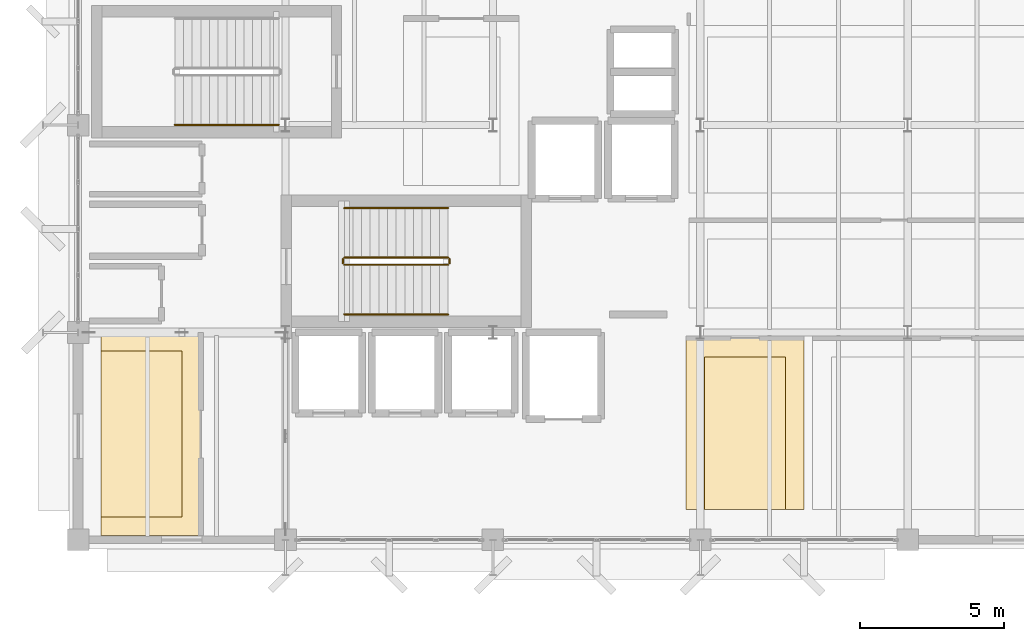
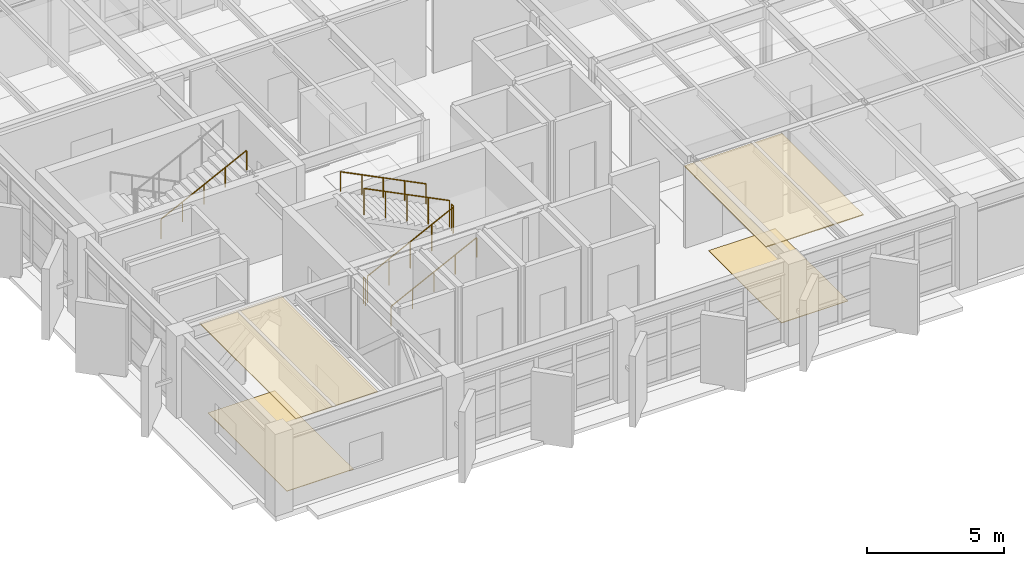
# One storey, part 29 of 32: 7 railings, 4 coverings.
"""IFC4 building model written with IfcOpenShell, lengths in metres."""

from ifc_helpers import new_model, si_unit, direction, frame, origin, origin_2d, place, context, subcontext, project, spatial, polyline, circle, outline, extrude, material, layer, layer_set, type_object, element, save


model = new_model("IFC4")

# Units and contexts
model_context = context("Model", 3, precision=1e-05, world=origin(), true_north=direction((0.0, 1.0)))
body_context = subcontext(model_context, "Body", "Model", "MODEL_VIEW")
ifc_project = project(units=[si_unit("LENGTHUNIT", "METRE"), si_unit("AREAUNIT", "SQUARE_METRE"), si_unit("VOLUMEUNIT", "CUBIC_METRE"), si_unit("PLANEANGLEUNIT", "RADIAN"), si_unit("MASSUNIT", "GRAM", prefix="KILO")], contexts=[model_context])

# Site, building, storey
site_placement = place(None, origin())
site = spatial("IfcSite", under=ifc_project, at=site_placement, CompositionType="ELEMENT")
building_placement = place(site_placement, origin())
building = spatial("IfcBuilding", under=site, at=building_placement, Name="Kandorven Conservatory and Botanical Research Centre", CompositionType="ELEMENT")
storey_placement = place(building_placement, frame((0.0, 0.0, 17.10009765625)))
storey = spatial("IfcBuildingStorey", under=building, at=storey_placement, Name="L04", CompositionType="ELEMENT", Elevation=17.10009765625)

# Coverings
ifc_material_1 = material(Name="Perforated mineral-fibre acoustic ceiling tile", Category="gypsum")
ifc_layer_1 = layer(ifc_material_1, 0.0400390625)
ifc_layer_set_1 = layer_set([ifc_layer_1], Name="Perforated mineral-fibre acoustic ceiling tile")
covering_type_1 = type_object("IfcCoveringType", Name="Cov_Ceiling_1", PredefinedType="CEILING", material=ifc_layer_set_1)
covering_1_placement = place(storey_placement, frame((0.0, 0.0, 3.599853515625)))
element("IfcCovering", 1, at=covering_1_placement, inside=storey, type_object=covering_type_1, Name="Suspended acoustic ceiling CLG-01 (Botanical Chemotaxonomy Research Laboratory L04)", PredefinedType="CEILING", context=body_context, shape_type="SweptSolid", body=[
    extrude(outline(polyline([(6.800048828125, 6.14990234375), (10.25, 6.14990234375), (10.25, 13.199951171875), (6.800048828125, 13.199951171875), (6.800048828125, 6.14990234375)])), origin(), (0.0, 0.0, 1.0), 0.0400390625),
])
covering_2_placement = place(storey_placement, frame((0.0, 0.0, 3.599853515625)))
element("IfcCovering", 2, at=covering_2_placement, inside=storey, type_object=covering_type_1, Name="Suspended acoustic ceiling CLG-01 (Phytochemistry Research Laboratory L04)", PredefinedType="CEILING", context=body_context, shape_type="SweptSolid", body=[
    extrude(outline(polyline([(27.10009765625, 7.050048828125), (31.199951171875, 7.050048828125), (31.199951171875, 13.0), (27.10009765625, 13.0), (27.10009765625, 7.050048828125)])), origin(), (0.0, 0.0, 1.0), 0.0400390625),
])
ifc_material_2 = material(Name="Honed Kota stone and epoxy laboratory flooring", Category="masonry")
ifc_layer_2 = layer(ifc_material_2, 0.02490234375)
ifc_layer_set_2 = layer_set([ifc_layer_2], Name="Honed Kota stone and epoxy laboratory flooring")
covering_type_2 = type_object("IfcCoveringType", Name="Cov_Flooring_1", PredefinedType="FLOORING", material=ifc_layer_set_2)
covering_3_placement = place(storey_placement, origin())
element("IfcCovering", 3, at=covering_3_placement, inside=storey, type_object=covering_type_2, Name="Floor finish FLR-01 (Botanical Chemotaxonomy Research Laboratory L04)", PredefinedType="FLOORING", context=body_context, shape_type="SweptSolid", body=[
    extrude(outline(polyline([(6.800048828125, 6.800048828125), (9.60009765625, 6.800048828125), (9.60009765625, 12.550048828125), (6.800048828125, 12.550048828125), (6.800048828125, 6.800048828125)])), origin(), (0.0, 0.0, 1.0), 0.02490234375),
])
covering_4_placement = place(storey_placement, origin())
element("IfcCovering", 4, at=covering_4_placement, inside=storey, type_object=covering_type_2, Name="Floor finish FLR-01 (Phytochemistry Research Laboratory L04)", PredefinedType="FLOORING", context=body_context, shape_type="SweptSolid", body=[
    extrude(outline(polyline([(27.75, 7.050048828125), (30.550048828125, 7.050048828125), (30.550048828125, 12.35009765625), (27.75, 12.35009765625), (27.75, 7.050048828125)])), origin(), (0.0, 0.0, 1.0), 0.02490234375),
])

# Railings
ifc_material_3 = material(Name="Steel S355 (IS 2062 E350)", Category="steel")
railing_type_1 = type_object("IfcRailingType", Name="StairGuard_1150", PredefinedType="BALUSTRADE", material=ifc_material_3)
railing_1_placement = place(storey_placement, frame((15.239990234375, 15.550048828125, 0.14990234375)))
element("IfcRailing", 5, at=railing_1_placement, inside=storey, type_object=railing_type_1, Name="L04 ST-T1 stair guard 1", PredefinedType="BALUSTRADE", context=body_context, shape_type="SweptSolid", body=[
    extrude(circle(Radius=0.02392578125, at=origin_2d()), frame((0.0, 0.0, 1.17578125), z_axis=(0.894427191, 0.0, 0.4472135955), x_axis=(0.0, 1.0, 0.0)), (0.0, 0.0, 1.0), 4.025146484375),
    extrude(circle(Radius=0.02099609375, at=origin_2d()), origin(), (0.0, 0.0, 1.0), 1.15185546875),
    extrude(circle(Radius=0.02099609375, at=origin_2d()), frame((0.89990234375, 0.0, 0.449951171875)), (0.0, 0.0, 1.0), 1.15185546875),
    extrude(circle(Radius=0.02099609375, at=origin_2d()), frame((1.800048828125, 0.0, 0.89990234375)), (0.0, 0.0, 1.0), 1.15185546875),
    extrude(circle(Radius=0.02099609375, at=origin_2d()), frame((2.7001953125, 0.0, 1.35009765625)), (0.0, 0.0, 1.0), 1.15185546875),
    extrude(circle(Radius=0.02099609375, at=origin_2d()), frame((3.60009765625, 0.0, 1.800048828125)), (0.0, 0.0, 1.0), 1.15185546875),
])
railing_2_placement = place(storey_placement, frame((18.889892578125, 15.60009765625, 1.949951171875)))
element("IfcRailing", 6, at=railing_2_placement, inside=storey, type_object=railing_type_1, Name="L04 ST-T1 stair guard 2", PredefinedType="BALUSTRADE", context=body_context, shape_type="SweptSolid", body=[
    extrude(circle(Radius=0.02392578125, at=origin_2d()), frame((0.0, 0.0, 1.17578125), z_axis=(0.0, 1.0, 0.0), x_axis=(-1.0, 0.0, 0.0)), (0.0, 0.0, 1.0), 0.14990234375),
    extrude(circle(Radius=0.02099609375, at=origin_2d()), origin(), (0.0, 0.0, 1.0), 1.15185546875),
    extrude(circle(Radius=0.02099609375, at=origin_2d()), frame((0.0, 0.14990234375, 0.0)), (0.0, 0.0, 1.0), 1.15185546875),
])
railing_3_placement = place(storey_placement, frame((18.840087890625, 15.800048828125, 2.099853515625)))
element("IfcRailing", 7, at=railing_3_placement, inside=storey, type_object=railing_type_1, Name="L04 ST-T1 stair guard 3", PredefinedType="BALUSTRADE", context=body_context, shape_type="SweptSolid", body=[
    extrude(circle(Radius=0.02392578125, at=origin_2d()), frame((0.0, 0.0, 1.17578125), z_axis=(-0.894427191, 0.0, 0.4472135955), x_axis=(0.0, -1.0, 0.0)), (0.0, 0.0, 1.0), 4.025146484375),
    extrude(circle(Radius=0.02099609375, at=origin_2d()), origin(), (0.0, 0.0, 1.0), 1.15185546875),
    extrude(circle(Radius=0.02099609375, at=origin_2d()), frame((-0.89990234375, 0.0, 0.449951171875)), (0.0, 0.0, 1.0), 1.15185546875),
    extrude(circle(Radius=0.02099609375, at=origin_2d()), frame((-1.800048828125, 0.0, 0.89990234375)), (0.0, 0.0, 1.0), 1.15185546875),
    extrude(circle(Radius=0.02099609375, at=origin_2d()), frame((-2.7001953125, 0.0, 1.35009765625)), (0.0, 0.0, 1.0), 1.15185546875),
    extrude(circle(Radius=0.02099609375, at=origin_2d()), frame((-3.60009765625, 0.0, 1.800048828125)), (0.0, 0.0, 1.0), 1.15185546875),
])
railing_4_placement = place(storey_placement, frame((15.18994140625, 15.60009765625, 0.0)))
element("IfcRailing", 8, at=railing_4_placement, inside=storey, type_object=railing_type_1, Name="L04 ST-T1 stair guard 4", PredefinedType="BALUSTRADE", context=body_context, shape_type="SweptSolid", body=[
    extrude(circle(Radius=0.02392578125, at=origin_2d()), frame((0.0, 0.0, 1.17578125), z_axis=(0.0, 1.0, 0.0), x_axis=(-1.0, 0.0, 0.0)), (0.0, 0.0, 1.0), 0.14990234375),
    extrude(circle(Radius=0.02099609375, at=origin_2d()), origin(), (0.0, 0.0, 1.0), 1.15185546875),
    extrude(circle(Radius=0.02099609375, at=origin_2d()), frame((0.0, 0.14990234375, 0.0)), (0.0, 0.0, 1.0), 1.15185546875),
])
ifc_material_4 = material(Name="Steel S355 (IS 2062 E350)", Category="steel")
railing_type_2 = type_object("IfcRailingType", Name="StairHandrail_900", PredefinedType="HANDRAIL", material=ifc_material_4)
railing_5_placement = place(storey_placement, frame((15.239990234375, 13.830078125, 0.14990234375)))
element("IfcRailing", 9, at=railing_5_placement, inside=storey, type_object=railing_type_2, Name="L04 ST-T1 stair handrail 1", PredefinedType="HANDRAIL", context=body_context, shape_type="SweptSolid", body=[
    extrude(circle(Radius=0.02392578125, at=origin_2d()), frame((0.0, 0.0, 0.8759765625), z_axis=(0.894427191, 0.0, 0.4472135955), x_axis=(0.0, 1.0, 0.0)), (0.0, 0.0, 1.0), 4.025146484375),
    extrude(circle(Radius=0.02099609375, at=origin_2d()), origin(), (0.0, 0.0, 1.0), 0.851806640625),
    extrude(circle(Radius=0.02099609375, at=origin_2d()), frame((0.89990234375, 0.0, 0.449951171875)), (0.0, 0.0, 1.0), 0.851806640625),
    extrude(circle(Radius=0.02099609375, at=origin_2d()), frame((1.800048828125, 0.0, 0.89990234375)), (0.0, 0.0, 1.0), 0.851806640625),
    extrude(circle(Radius=0.02099609375, at=origin_2d()), frame((2.7001953125, 0.0, 1.35009765625)), (0.0, 0.0, 1.0), 0.851806640625),
    extrude(circle(Radius=0.02099609375, at=origin_2d()), frame((3.60009765625, 0.0, 1.800048828125)), (0.0, 0.0, 1.0), 0.851806640625),
])
railing_6_placement = place(storey_placement, frame((18.840087890625, 17.52001953125, 2.099853515625)))
element("IfcRailing", 10, at=railing_6_placement, inside=storey, type_object=railing_type_2, Name="L04 ST-T1 stair handrail 2", PredefinedType="HANDRAIL", context=body_context, shape_type="SweptSolid", body=[
    extrude(circle(Radius=0.02392578125, at=origin_2d()), frame((0.0, 0.0, 0.8759765625), z_axis=(-0.894427191, 0.0, 0.4472135955), x_axis=(0.0, -1.0, 0.0)), (0.0, 0.0, 1.0), 4.025146484375),
    extrude(circle(Radius=0.02099609375, at=origin_2d()), origin(), (0.0, 0.0, 1.0), 0.851806640625),
    extrude(circle(Radius=0.02099609375, at=origin_2d()), frame((-0.89990234375, 0.0, 0.449951171875)), (0.0, 0.0, 1.0), 0.851806640625),
    extrude(circle(Radius=0.02099609375, at=origin_2d()), frame((-1.800048828125, 0.0, 0.89990234375)), (0.0, 0.0, 1.0), 0.851806640625),
    extrude(circle(Radius=0.02099609375, at=origin_2d()), frame((-2.7001953125, 0.0, 1.35009765625)), (0.0, 0.0, 1.0), 0.851806640625),
    extrude(circle(Radius=0.02099609375, at=origin_2d()), frame((-3.60009765625, 0.0, 1.800048828125)), (0.0, 0.0, 1.0), 0.851806640625),
])
railing_7_placement = place(storey_placement, frame((9.360107421875, 20.409912109375, 2.099853515625)))
element("IfcRailing", 11, at=railing_7_placement, inside=storey, type_object=railing_type_2, Name="L04 ST-T2 stair handrail 2", PredefinedType="HANDRAIL", context=body_context, shape_type="SweptSolid", body=[
    extrude(circle(Radius=0.02392578125, at=origin_2d()), frame((0.0, 0.0, 0.8759765625), z_axis=(0.894415058897, 0.0, 0.447237858884), x_axis=(0.0, 1.0, 0.0)), (0.0, 0.0, 1.0), 4.02490234375),
    extrude(circle(Radius=0.02099609375, at=origin_2d()), origin(), (0.0, 0.0, 1.0), 0.851806640625),
    extrude(circle(Radius=0.02099609375, at=origin_2d()), frame((0.89990234375, 0.0, 0.449951171875)), (0.0, 0.0, 1.0), 0.851806640625),
    extrude(circle(Radius=0.02099609375, at=origin_2d()), frame((1.7998046875, 0.0, 0.89990234375)), (0.0, 0.0, 1.0), 0.851806640625),
    extrude(circle(Radius=0.02099609375, at=origin_2d()), frame((2.699951171875, 0.0, 1.35009765625)), (0.0, 0.0, 1.0), 0.851806640625),
    extrude(circle(Radius=0.02099609375, at=origin_2d()), frame((3.599853515625, 0.0, 1.800048828125)), (0.0, 0.0, 1.0), 0.851806640625),
])

save(model, "model.ifc")
